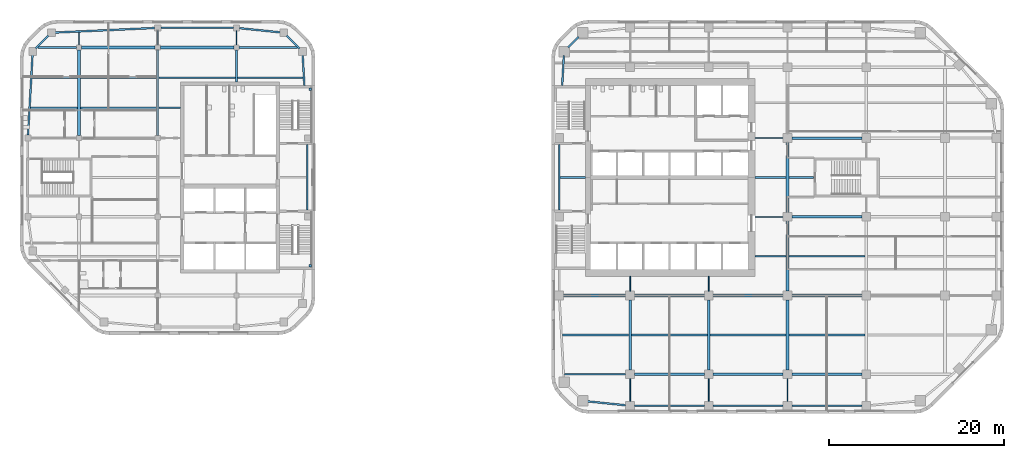
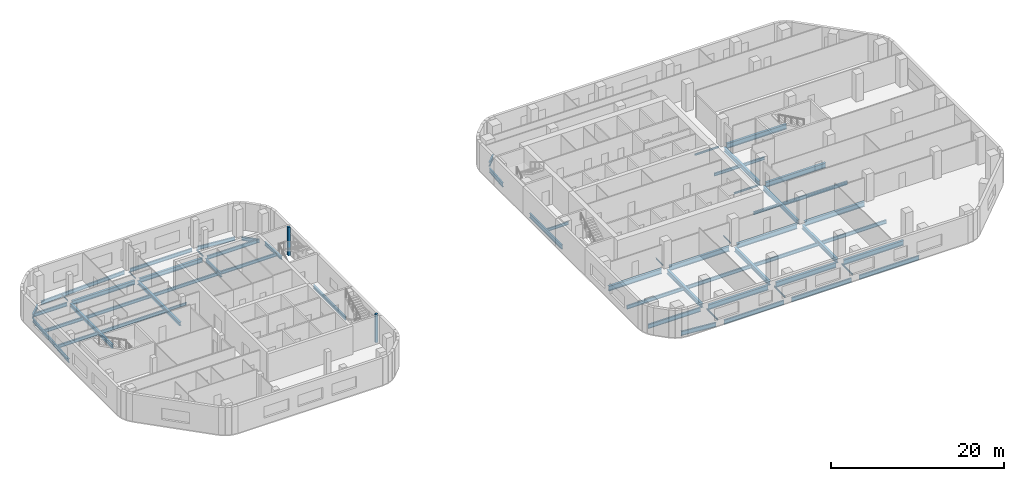
# One storey, part 2 of 14: 63 beams, 2 members.
"""IFC4 building model written with IfcOpenShell, lengths in metres."""

from ifc_helpers import new_model, si_unit, direction, frame, origin, origin_2d, place, context, subcontext, project, spatial, rectangle, i_section, extrude, material, material_profile, profile_set, type_object, element, save


model = new_model("IFC4")

# Units and contexts
model_context = context("Model", 3, precision=1e-05, world=origin(), true_north=direction((0.0, 1.0)))
body_context = subcontext(model_context, "Body", "Model", "MODEL_VIEW")
ifc_project = project(units=[si_unit("LENGTHUNIT", "METRE"), si_unit("AREAUNIT", "SQUARE_METRE"), si_unit("VOLUMEUNIT", "CUBIC_METRE"), si_unit("PLANEANGLEUNIT", "RADIAN"), si_unit("MASSUNIT", "GRAM", prefix="KILO")], contexts=[model_context])

# Site, building, storey
site_placement = place(None, origin())
site = spatial("IfcSite", under=ifc_project, at=site_placement, CompositionType="ELEMENT")
building_placement = place(site_placement, origin())
building = spatial("IfcBuilding", under=site, at=building_placement, Name="Cinnabar Reach Civic Tower", CompositionType="ELEMENT")
storey_placement = place(building_placement, frame((0.0, 0.0, 132.0)))
storey = spatial("IfcBuildingStorey", under=building, at=storey_placement, Name="L31", CompositionType="ELEMENT", Elevation=132.0)

# Beams
ifc_material_1 = material(Name="Steel Q355B", Category="steel")
ifc_material_profile_1 = material_profile(ifc_material_1, i_section(OverallWidth=0.3, OverallDepth=0.488, WebThickness=0.011, FlangeThickness=0.018, FilletRadius=0.016, at=origin_2d()), Name="HM488x300x11x18")
ifc_profile_set_1 = profile_set([ifc_material_profile_1], Name="Steel Q355B")
beam_type_1 = type_object("IfcBeamType", Name="HM488x300x11x18 beam R 120", PredefinedType="BEAM", material=ifc_profile_set_1)
for number, where, z_axis, x_axis, name in (
    (1, (-54.0, 36.302, -0.394), (0.0, 1.0, 0.0), (-1.0, 0.0, 0.0), "Girder T2 L31 4"),
    (2, (-45.0, 36.302, -0.394), (0.0, 1.0, 0.0), (-1.0, 0.0, 0.0), "Girder T2 L31 9"),
):
    element("IfcBeam", number, at=place(storey_placement, frame(where, z_axis=z_axis, x_axis=x_axis)), inside=storey, type_object=beam_type_1, Name=name, PredefinedType="BEAM", context=body_context, shape_type="SweptSolid", body=[
        extrude(i_section(OverallWidth=0.3, OverallDepth=0.488, WebThickness=0.011, FlangeThickness=0.018, FilletRadius=0.016, at=origin_2d()), origin(), (0.0, 0.0, 1.0), 9.746),
    ])
ifc_material_profile_2 = material_profile(ifc_material_1, i_section(OverallWidth=0.3, OverallDepth=0.588, WebThickness=0.012, FlangeThickness=0.02, FilletRadius=0.016, at=origin_2d()), Name="HM588x300x12x20")
ifc_profile_set_2 = profile_set([ifc_material_profile_2], Name="Steel Q355B")
beam_type_2 = type_object("IfcBeamType", Name="HM588x300x12x20 beam R 120", PredefinedType="BEAM", material=ifc_profile_set_2)
for number, where, z_axis, x_axis, name in (
    (3, (-53.698, 46.35, -0.444), (1.0, 0.0, 0.0), (0.0, 1.0, 0.0), "Girder T2 L31 11"),
    (4, (-44.698, 46.35, -0.444), (1.0, 0.0, 0.0), (0.0, 1.0, 0.0), "Girder T2 L31 12"),
):
    element("IfcBeam", number, at=place(storey_placement, frame(where, z_axis=z_axis, x_axis=x_axis)), inside=storey, type_object=beam_type_2, Name=name, PredefinedType="BEAM", context=body_context, shape_type="SweptSolid", body=[
        extrude(i_section(OverallWidth=0.3, OverallDepth=0.588, WebThickness=0.012, FlangeThickness=0.02, FilletRadius=0.016, at=origin_2d()), origin(), (0.0, 0.0, 1.0), 8.396),
    ])
ifc_material_profile_3 = material_profile(ifc_material_1, i_section(OverallWidth=0.302, OverallDepth=0.594, WebThickness=0.014, FlangeThickness=0.023, FilletRadius=0.016, at=origin_2d()), Name="HM594x302x14x23")
ifc_profile_set_3 = profile_set([ifc_material_profile_3], Name="Steel Q355B")
beam_type_3 = type_object("IfcBeamType", Name="HM594x302x14x23 beam R 180", PredefinedType="BEAM", material=ifc_profile_set_3)
for number, where, z_axis, x_axis, name in (
    (5, (9.0, 9.502, -0.447), (0.0, 1.0, 0.0), (-1.0, 0.0, 0.0), "Girder T1 L31 2"),
    (6, (18.0, 9.502, -0.447), (0.0, 1.0, 0.0), (-1.0, 0.0, 0.0), "Girder T1 L31 6"),
    (7, (27.0, 9.502, -0.447), (0.0, 1.0, 0.0), (-1.0, 0.0, 0.0), "Girder T1 L31 10"),
    (8, (27.0, 18.502, -0.447), (0.0, 1.0, 0.0), (-1.0, 0.0, 0.0), "Girder T1 L31 11"),
    (9, (27.0, 27.502, -0.447), (0.0, 1.0, 0.0), (-1.0, 0.0, 0.0), "Girder T1 L31 12"),
):
    element("IfcBeam", number, at=place(storey_placement, frame(where, z_axis=z_axis, x_axis=x_axis)), inside=storey, type_object=beam_type_3, Name=name, PredefinedType="BEAM", context=body_context, shape_type="SweptSolid", body=[
        extrude(i_section(OverallWidth=0.302, OverallDepth=0.594, WebThickness=0.014, FlangeThickness=0.023, FilletRadius=0.016, at=origin_2d()), origin(), (0.0, 0.0, 1.0), 7.996),
    ])
ifc_material_profile_4 = material_profile(ifc_material_1, i_section(OverallWidth=0.099, OverallDepth=0.198, WebThickness=0.0045, FlangeThickness=0.007, FilletRadius=0.013, at=origin_2d()), Name="HN200x100x5.5x8")
ifc_profile_set_4 = profile_set([ifc_material_profile_4], Name="Steel Q355B")
beam_type_4 = type_object("IfcBeamType", Name="HN200x100x5.5x8 beam R 120", PredefinedType="BEAM", material=ifc_profile_set_4)
beam_1_placement = place(storey_placement, frame((-54.0, 46.652, -0.249), z_axis=(0.0, 1.0, 0.0), x_axis=(-1.0, 0.0, 0.0)))
element("IfcBeam", 10, at=beam_1_placement, inside=storey, type_object=beam_type_4, Name="Girder T2 L31 5", PredefinedType="BEAM", context=body_context, shape_type="SweptSolid", body=[
    extrude(i_section(OverallWidth=0.099, OverallDepth=0.198, WebThickness=0.0045, FlangeThickness=0.007, FilletRadius=0.013, at=origin_2d()), origin(), (0.0, 0.0, 1.0), 1.4361),
])
for number, where, z_axis, x_axis, name in (
    (11, (-45.0, 46.652, -0.249), (0.0, 1.0, 0.0), (-1.0, 0.0, 0.0), "Girder T2 L31 10"),
    (12, (-36.0, 46.652, -0.249), (0.0, 1.0, 0.0), (-1.0, 0.0, 0.0), "Girder T2 L31 14"),
):
    element("IfcBeam", number, at=place(storey_placement, frame(where, z_axis=z_axis, x_axis=x_axis)), inside=storey, type_object=beam_type_4, Name=name, PredefinedType="BEAM", context=body_context, shape_type="SweptSolid", body=[
        extrude(i_section(OverallWidth=0.099, OverallDepth=0.198, WebThickness=0.0045, FlangeThickness=0.007, FilletRadius=0.013, at=origin_2d()), origin(), (0.0, 0.0, 1.0), 1.596),
    ])
ifc_material_profile_5 = material_profile(ifc_material_1, i_section(OverallWidth=0.099, OverallDepth=0.198, WebThickness=0.0045, FlangeThickness=0.007, FilletRadius=0.013, at=origin_2d()), Name="HN200x100x5.5x8")
ifc_profile_set_5 = profile_set([ifc_material_profile_5], Name="Steel Q355B")
beam_type_5 = type_object("IfcBeamType", Name="HN200x100x5.5x8 beam R 180", PredefinedType="BEAM", material=ifc_profile_set_5)
beam_2_placement = place(storey_placement, frame((9.0, 5.902, -0.249), z_axis=(0.0, 1.0, 0.0), x_axis=(-1.0, 0.0, 0.0)))
element("IfcBeam", 13, at=beam_2_placement, inside=storey, type_object=beam_type_5, Name="Girder T1 L31 1", PredefinedType="BEAM", context=body_context, shape_type="SweptSolid", body=[
    extrude(i_section(OverallWidth=0.099, OverallDepth=0.198, WebThickness=0.0045, FlangeThickness=0.007, FilletRadius=0.013, at=origin_2d()), origin(), (0.0, 0.0, 1.0), 2.596),
])
beam_3_placement = place(storey_placement, frame((9.0, 18.502, -0.249), z_axis=(0.0, 1.0, 0.0), x_axis=(-1.0, 0.0, 0.0)))
element("IfcBeam", 14, at=beam_3_placement, inside=storey, type_object=beam_type_5, Name="Girder T1 L31 3", PredefinedType="BEAM", context=body_context, shape_type="SweptSolid", body=[
    extrude(i_section(OverallWidth=0.099, OverallDepth=0.198, WebThickness=0.0045, FlangeThickness=0.007, FilletRadius=0.013, at=origin_2d()), origin(), (0.0, 0.0, 1.0), 1.696),
])
beam_4_placement = place(storey_placement, frame((18.0, 5.902, -0.249), z_axis=(0.0, 1.0, 0.0), x_axis=(-1.0, 0.0, 0.0)))
element("IfcBeam", 15, at=beam_4_placement, inside=storey, type_object=beam_type_5, Name="Girder T1 L31 5", PredefinedType="BEAM", context=body_context, shape_type="SweptSolid", body=[
    extrude(i_section(OverallWidth=0.099, OverallDepth=0.198, WebThickness=0.0045, FlangeThickness=0.007, FilletRadius=0.013, at=origin_2d()), origin(), (0.0, 0.0, 1.0), 2.596),
])
beam_5_placement = place(storey_placement, frame((18.0, 18.502, -0.249), z_axis=(0.0, 1.0, 0.0), x_axis=(-1.0, 0.0, 0.0)))
element("IfcBeam", 16, at=beam_5_placement, inside=storey, type_object=beam_type_5, Name="Girder T1 L31 7", PredefinedType="BEAM", context=body_context, shape_type="SweptSolid", body=[
    extrude(i_section(OverallWidth=0.099, OverallDepth=0.198, WebThickness=0.0045, FlangeThickness=0.007, FilletRadius=0.013, at=origin_2d()), origin(), (0.0, 0.0, 1.0), 1.696),
])
beam_6_placement = place(storey_placement, frame((27.0, 5.902, -0.249), z_axis=(0.0, 1.0, 0.0), x_axis=(-1.0, 0.0, 0.0)))
element("IfcBeam", 17, at=beam_6_placement, inside=storey, type_object=beam_type_5, Name="Girder T1 L31 9", PredefinedType="BEAM", context=body_context, shape_type="SweptSolid", body=[
    extrude(i_section(OverallWidth=0.099, OverallDepth=0.198, WebThickness=0.0045, FlangeThickness=0.007, FilletRadius=0.013, at=origin_2d()), origin(), (0.0, 0.0, 1.0), 2.596),
])
ifc_material_profile_6 = material_profile(ifc_material_1, i_section(OverallWidth=0.124, OverallDepth=0.248, WebThickness=0.005, FlangeThickness=0.008, FilletRadius=0.013, at=origin_2d()), Name="HN250x125x6x9")
ifc_profile_set_6 = profile_set([ifc_material_profile_6], Name="Steel Q355B")
beam_type_6 = type_object("IfcBeamType", Name="HN250x125x6x9 beam R 180", PredefinedType="BEAM", material=ifc_profile_set_6)
for number, where, z_axis, x_axis, name in (
    (18, (23.302, 27.0, -0.274), (1.0, 0.0, 0.0), (0.0, 1.0, 0.0), "Girder T1 L31 12"),
    (19, (23.302, 36.0, -0.274), (1.0, 0.0, 0.0), (0.0, 1.0, 0.0), "Girder T1 L31 16"),
):
    element("IfcBeam", number, at=place(storey_placement, frame(where, z_axis=z_axis, x_axis=x_axis)), inside=storey, type_object=beam_type_6, Name=name, PredefinedType="BEAM", context=body_context, shape_type="SweptSolid", body=[
        extrude(i_section(OverallWidth=0.124, OverallDepth=0.248, WebThickness=0.005, FlangeThickness=0.008, FilletRadius=0.013, at=origin_2d()), origin(), (0.0, 0.0, 1.0), 3.196),
    ])
ifc_material_profile_7 = material_profile(ifc_material_1, i_section(OverallWidth=0.175, OverallDepth=0.35, WebThickness=0.007, FlangeThickness=0.011, FilletRadius=0.013, at=origin_2d()), Name="HN350x175x7x11")
ifc_profile_set_7 = profile_set([ifc_material_profile_7], Name="Steel Q355B")
beam_type_7 = type_object("IfcBeamType", Name="HN350x175x7x11 beam R 120", PredefinedType="BEAM", material=ifc_profile_set_7)
beam_7_placement = place(storey_placement, frame((-44.848, 39.45, -0.325), z_axis=(1.0, 0.0, 0.0), x_axis=(0.0, 1.0, 0.0)))
element("IfcBeam", 20, at=beam_7_placement, inside=storey, type_object=beam_type_7, Name="Secondary beam T2 L31 9", PredefinedType="BEAM", context=body_context, shape_type="SweptSolid", body=[
    extrude(i_section(OverallWidth=0.175, OverallDepth=0.35, WebThickness=0.007, FlangeThickness=0.011, FilletRadius=0.013, at=origin_2d()), origin(), (0.0, 0.0, 1.0), 2.446),
])
ifc_material_profile_8 = material_profile(ifc_material_1, i_section(OverallWidth=0.199, OverallDepth=0.396, WebThickness=0.007, FlangeThickness=0.011, FilletRadius=0.013, at=origin_2d()), Name="HN396x199x7x11")
ifc_profile_set_8 = profile_set([ifc_material_profile_8], Name="Steel Q355B")
beam_type_8 = type_object("IfcBeamType", Name="HN396x199x7x11 beam R 180", PredefinedType="BEAM", material=ifc_profile_set_8)
beam_8_placement = place(storey_placement, frame((23.302, 22.5, -0.348), z_axis=(1.0, 0.0, 0.0), x_axis=(0.0, 1.0, 0.0)))
element("IfcBeam", 21, at=beam_8_placement, inside=storey, type_object=beam_type_8, Name="Secondary beam T1 L31 7", PredefinedType="BEAM", context=body_context, shape_type="SweptSolid", body=[
    extrude(i_section(OverallWidth=0.199, OverallDepth=0.396, WebThickness=0.007, FlangeThickness=0.011, FilletRadius=0.013, at=origin_2d()), origin(), (0.0, 0.0, 1.0), 3.545),
])
beam_9_placement = place(storey_placement, frame((1.002, 31.5, -0.348), z_axis=(1.0, 0.0, 0.0), x_axis=(0.0, 1.0, 0.0)))
element("IfcBeam", 22, at=beam_9_placement, inside=storey, type_object=beam_type_8, Name="Secondary beam T1 L31 11", PredefinedType="BEAM", context=body_context, shape_type="SweptSolid", body=[
    extrude(i_section(OverallWidth=0.199, OverallDepth=0.396, WebThickness=0.007, FlangeThickness=0.011, FilletRadius=0.013, at=origin_2d()), origin(), (0.0, 0.0, 1.0), 2.896),
])
beam_10_placement = place(storey_placement, frame((23.302, 31.5, -0.348), z_axis=(1.0, 0.0, 0.0), x_axis=(0.0, 1.0, 0.0)))
element("IfcBeam", 23, at=beam_10_placement, inside=storey, type_object=beam_type_8, Name="Secondary beam T1 L31 12", PredefinedType="BEAM", context=body_context, shape_type="SweptSolid", body=[
    extrude(i_section(OverallWidth=0.199, OverallDepth=0.396, WebThickness=0.007, FlangeThickness=0.011, FilletRadius=0.013, at=origin_2d()), origin(), (0.0, 0.0, 1.0), 3.545),
])
beam_11_placement = place(storey_placement, frame((27.153, 31.5, -0.348), z_axis=(1.0, 0.0, 0.0), x_axis=(0.0, 1.0, 0.0)))
element("IfcBeam", 24, at=beam_11_placement, inside=storey, type_object=beam_type_8, Name="Secondary beam T1 L31 13", PredefinedType="BEAM", context=body_context, shape_type="SweptSolid", body=[
    extrude(i_section(OverallWidth=0.199, OverallDepth=0.396, WebThickness=0.007, FlangeThickness=0.011, FilletRadius=0.013, at=origin_2d()), origin(), (0.0, 0.0, 1.0), 2.845),
])
ifc_material_profile_9 = material_profile(ifc_material_1, i_section(OverallWidth=0.2, OverallDepth=0.45, WebThickness=0.009, FlangeThickness=0.014, FilletRadius=0.016, at=origin_2d()), Name="HN450x200x9x14")
ifc_profile_set_9 = profile_set([ifc_material_profile_9], Name="Steel Q355B")
beam_type_9 = type_object("IfcBeamType", Name="HN450x200x9x14 beam R 120", PredefinedType="BEAM", material=ifc_profile_set_9)
beam_12_placement = place(storey_placement, frame((-59.5551, 39.45, -0.375), z_axis=(1.0, 0.0, 0.0), x_axis=(0.0, 1.0, 0.0)))
element("IfcBeam", 25, at=beam_12_placement, inside=storey, type_object=beam_type_9, Name="Secondary beam T2 L31 7", PredefinedType="BEAM", context=body_context, shape_type="SweptSolid", body=[
    extrude(i_section(OverallWidth=0.2, OverallDepth=0.45, WebThickness=0.009, FlangeThickness=0.014, FilletRadius=0.016, at=origin_2d()), origin(), (0.0, 0.0, 1.0), 5.4031),
])
beam_13_placement = place(storey_placement, frame((-53.848, 39.45, -0.375), z_axis=(1.0, 0.0, 0.0), x_axis=(0.0, 1.0, 0.0)))
element("IfcBeam", 26, at=beam_13_placement, inside=storey, type_object=beam_type_9, Name="Secondary beam T2 L31 8", PredefinedType="BEAM", context=body_context, shape_type="SweptSolid", body=[
    extrude(i_section(OverallWidth=0.2, OverallDepth=0.45, WebThickness=0.009, FlangeThickness=0.014, FilletRadius=0.016, at=origin_2d()), origin(), (0.0, 0.0, 1.0), 8.696),
])
beam_14_placement = place(storey_placement, frame((-59.3623, 42.9, -0.375), z_axis=(1.0, 0.0, 0.0), x_axis=(0.0, 1.0, 0.0)))
element("IfcBeam", 27, at=beam_14_placement, inside=storey, type_object=beam_type_9, Name="Secondary beam T2 L31 10", PredefinedType="BEAM", context=body_context, shape_type="SweptSolid", body=[
    extrude(i_section(OverallWidth=0.2, OverallDepth=0.45, WebThickness=0.009, FlangeThickness=0.014, FilletRadius=0.016, at=origin_2d()), origin(), (0.0, 0.0, 1.0), 5.2103),
])
beam_15_placement = place(storey_placement, frame((-53.848, 42.9, -0.375), z_axis=(1.0, 0.0, 0.0), x_axis=(0.0, 1.0, 0.0)))
element("IfcBeam", 28, at=beam_15_placement, inside=storey, type_object=beam_type_9, Name="Secondary beam T2 L31 11", PredefinedType="BEAM", context=body_context, shape_type="SweptSolid", body=[
    extrude(i_section(OverallWidth=0.2, OverallDepth=0.45, WebThickness=0.009, FlangeThickness=0.014, FilletRadius=0.016, at=origin_2d()), origin(), (0.0, 0.0, 1.0), 8.696),
])
beam_16_placement = place(storey_placement, frame((-44.848, 42.9, -0.375), z_axis=(1.0, 0.0, 0.0), x_axis=(0.0, 1.0, 0.0)))
element("IfcBeam", 29, at=beam_16_placement, inside=storey, type_object=beam_type_9, Name="Secondary beam T2 L31 12", PredefinedType="BEAM", context=body_context, shape_type="SweptSolid", body=[
    extrude(i_section(OverallWidth=0.2, OverallDepth=0.45, WebThickness=0.009, FlangeThickness=0.014, FilletRadius=0.016, at=origin_2d()), origin(), (0.0, 0.0, 1.0), 8.746),
])
beam_17_placement = place(storey_placement, frame((-35.898, 42.9, -0.375), z_axis=(1.0, 0.0, 0.0), x_axis=(0.0, 1.0, 0.0)))
element("IfcBeam", 30, at=beam_17_placement, inside=storey, type_object=beam_type_9, Name="Secondary beam T2 L31 13", PredefinedType="BEAM", context=body_context, shape_type="SweptSolid", body=[
    extrude(i_section(OverallWidth=0.2, OverallDepth=0.45, WebThickness=0.009, FlangeThickness=0.014, FilletRadius=0.016, at=origin_2d()), origin(), (0.0, 0.0, 1.0), 7.5103),
])
ifc_material_profile_10 = material_profile(ifc_material_1, i_section(OverallWidth=0.199, OverallDepth=0.496, WebThickness=0.009, FlangeThickness=0.014, FilletRadius=0.016, at=origin_2d()), Name="HN496x199x9x14")
ifc_profile_set_10 = profile_set([ifc_material_profile_10], Name="Steel Q355B")
beam_type_10 = type_object("IfcBeamType", Name="HN496x199x9x14 beam R 180", PredefinedType="BEAM", material=ifc_profile_set_10)
beam_18_placement = place(storey_placement, frame((1.2536, 13.5, -0.398), z_axis=(1.0, 0.0, 0.0), x_axis=(0.0, 1.0, 0.0)))
element("IfcBeam", 31, at=beam_18_placement, inside=storey, type_object=beam_type_10, Name="Secondary beam T1 L31 1", PredefinedType="BEAM", context=body_context, shape_type="SweptSolid", body=[
    extrude(i_section(OverallWidth=0.199, OverallDepth=0.496, WebThickness=0.009, FlangeThickness=0.014, FilletRadius=0.016, at=origin_2d()), origin(), (0.0, 0.0, 1.0), 7.5934),
])
for number, where, z_axis, x_axis, name in (
    (32, (9.153, 13.5, -0.398), (1.0, 0.0, 0.0), (0.0, 1.0, 0.0), "Secondary beam T1 L31 2"),
    (33, (18.153, 13.5, -0.398), (1.0, 0.0, 0.0), (0.0, 1.0, 0.0), "Secondary beam T1 L31 3"),
    (34, (27.153, 13.5, -0.398), (1.0, 0.0, 0.0), (0.0, 1.0, 0.0), "Secondary beam T1 L31 4"),
    (35, (27.153, 22.5, -0.398), (1.0, 0.0, 0.0), (0.0, 1.0, 0.0), "Secondary beam T1 L31 8"),
):
    element("IfcBeam", number, at=place(storey_placement, frame(where, z_axis=z_axis, x_axis=x_axis)), inside=storey, type_object=beam_type_10, Name=name, PredefinedType="BEAM", context=body_context, shape_type="SweptSolid", body=[
        extrude(i_section(OverallWidth=0.199, OverallDepth=0.496, WebThickness=0.009, FlangeThickness=0.014, FilletRadius=0.016, at=origin_2d()), origin(), (0.0, 0.0, 1.0), 8.694),
    ])
ifc_material_profile_11 = material_profile(ifc_material_1, i_section(OverallWidth=0.2, OverallDepth=0.5, WebThickness=0.01, FlangeThickness=0.016, FilletRadius=0.016, at=origin_2d()), Name="HN500x200x10x16")
ifc_profile_set_11 = profile_set([ifc_material_profile_11], Name="Steel Q355B")
beam_type_11 = type_object("IfcBeamType", Name="HN500x200x10x16 beam R 120", PredefinedType="BEAM", material=ifc_profile_set_11)
beam_19_placement = place(storey_placement, frame((-27.9, 27.752, -0.4), z_axis=(0.0, 1.0, 0.0), x_axis=(-1.0, 0.0, 0.0)))
element("IfcBeam", 36, at=beam_19_placement, inside=storey, type_object=beam_type_11, Name="Edge beam T2 L31 6", PredefinedType="BEAM", context=body_context, shape_type="SweptSolid", body=[
    extrude(i_section(OverallWidth=0.2, OverallDepth=0.5, WebThickness=0.01, FlangeThickness=0.016, FilletRadius=0.016, at=origin_2d()), origin(), (0.0, 0.0, 1.0), 7.496),
])
beam_20_placement = place(storey_placement, frame((-28.2354, 42.002, -0.4), z_axis=(-0.055775670196, 0.99844332569, 0.0), x_axis=(-0.99844332569, -0.055775670196, 0.0)))
element("IfcBeam", 37, at=beam_20_placement, inside=storey, type_object=beam_type_11, Name="Edge beam T2 L31 7", PredefinedType="BEAM", context=body_context, shape_type="SweptSolid", body=[
    extrude(i_section(OverallWidth=0.2, OverallDepth=0.5, WebThickness=0.01, FlangeThickness=0.016, FilletRadius=0.016, at=origin_2d()), origin(), (0.0, 0.0, 1.0), 3.5697),
])
beam_21_placement = place(storey_placement, frame((-28.7851, 46.2301, -0.4), z_axis=(-0.707106781187, 0.707106781187, 0.0), x_axis=(-0.707106781187, -0.707106781187, 0.0)))
element("IfcBeam", 38, at=beam_21_placement, inside=storey, type_object=beam_type_11, Name="Edge beam T2 L31 8", PredefinedType="BEAM", context=body_context, shape_type="SweptSolid", body=[
    extrude(i_section(OverallWidth=0.2, OverallDepth=0.5, WebThickness=0.01, FlangeThickness=0.016, FilletRadius=0.016, at=origin_2d()), origin(), (0.0, 0.0, 1.0), 2.0998),
])
beam_22_placement = place(storey_placement, frame((-30.9339, 48.0809, -0.4), z_axis=(-0.994792087401, 0.101924986363, 0.0), x_axis=(-0.101924986363, -0.994792087401, 0.0)))
element("IfcBeam", 39, at=beam_22_placement, inside=storey, type_object=beam_type_11, Name="Edge beam T2 L31 9", PredefinedType="BEAM", context=body_context, shape_type="SweptSolid", body=[
    extrude(i_section(OverallWidth=0.2, OverallDepth=0.5, WebThickness=0.01, FlangeThickness=0.016, FilletRadius=0.016, at=origin_2d()), origin(), (0.0, 0.0, 1.0), 4.7388),
])
beam_23_placement = place(storey_placement, frame((-36.352, 48.6, -0.4), z_axis=(-1.0, 0.0, 0.0), x_axis=(0.0, -1.0, 0.0)))
element("IfcBeam", 40, at=beam_23_placement, inside=storey, type_object=beam_type_11, Name="Edge beam T2 L31 10", PredefinedType="BEAM", context=body_context, shape_type="SweptSolid", body=[
    extrude(i_section(OverallWidth=0.2, OverallDepth=0.5, WebThickness=0.01, FlangeThickness=0.016, FilletRadius=0.016, at=origin_2d()), origin(), (0.0, 0.0, 1.0), 8.296),
])
beam_24_placement = place(storey_placement, frame((-45.352, 48.584, -0.4), z_axis=(-0.998964961738, -0.045486319033, 0.0), x_axis=(0.045486319033, -0.998964961738, 0.0)))
element("IfcBeam", 41, at=beam_24_placement, inside=storey, type_object=beam_type_11, Name="Edge beam T2 L31 11", PredefinedType="BEAM", context=body_context, shape_type="SweptSolid", body=[
    extrude(i_section(OverallWidth=0.2, OverallDepth=0.5, WebThickness=0.01, FlangeThickness=0.016, FilletRadius=0.016, at=origin_2d()), origin(), (0.0, 0.0, 1.0), 11.476),
])
beam_25_placement = place(storey_placement, frame((-57.4801, 47.7149, -0.4), z_axis=(-0.707106781187, -0.707106781187, 0.0), x_axis=(0.707106781187, -0.707106781187, 0.0)))
element("IfcBeam", 42, at=beam_25_placement, inside=storey, type_object=beam_type_11, Name="Edge beam T2 L31 12", PredefinedType="BEAM", context=body_context, shape_type="SweptSolid", body=[
    extrude(i_section(OverallWidth=0.2, OverallDepth=0.5, WebThickness=0.01, FlangeThickness=0.016, FilletRadius=0.016, at=origin_2d()), origin(), (0.0, 0.0, 1.0), 2.0998),
])
beam_26_placement = place(storey_placement, frame((-59.3155, 45.5661, -0.4), z_axis=(-0.055783895065, -0.998442866193, 0.0), x_axis=(0.998442866193, -0.055783895065, 0.0)))
element("IfcBeam", 43, at=beam_26_placement, inside=storey, type_object=beam_type_11, Name="Edge beam T2 L31 13", PredefinedType="BEAM", context=body_context, shape_type="SweptSolid", body=[
    extrude(i_section(OverallWidth=0.2, OverallDepth=0.5, WebThickness=0.01, FlangeThickness=0.016, FilletRadius=0.016, at=origin_2d()), origin(), (0.0, 0.0, 1.0), 9.2285),
])
beam_27_placement = place(storey_placement, frame((-58.7008, 46.35, -0.4), z_axis=(1.0, 0.0, 0.0), x_axis=(0.0, 1.0, 0.0)))
element("IfcBeam", 44, at=beam_27_placement, inside=storey, type_object=beam_type_11, Name="Girder T2 L31 10", PredefinedType="BEAM", context=body_context, shape_type="SweptSolid", body=[
    extrude(i_section(OverallWidth=0.2, OverallDepth=0.5, WebThickness=0.01, FlangeThickness=0.016, FilletRadius=0.016, at=origin_2d()), origin(), (0.0, 0.0, 1.0), 4.3988),
])
beam_28_placement = place(storey_placement, frame((-35.698, 46.35, -0.4), z_axis=(1.0, 0.0, 0.0), x_axis=(0.0, 1.0, 0.0)))
element("IfcBeam", 45, at=beam_28_placement, inside=storey, type_object=beam_type_11, Name="Girder T2 L31 13", PredefinedType="BEAM", context=body_context, shape_type="SweptSolid", body=[
    extrude(i_section(OverallWidth=0.2, OverallDepth=0.5, WebThickness=0.01, FlangeThickness=0.016, FilletRadius=0.016, at=origin_2d()), origin(), (0.0, 0.0, 1.0), 6.6488),
])
beam_29_placement = place(storey_placement, frame((-36.0, 42.402, -0.4), z_axis=(0.0, 1.0, 0.0), x_axis=(-1.0, 0.0, 0.0)))
element("IfcBeam", 46, at=beam_29_placement, inside=storey, type_object=beam_type_11, Name="Girder T2 L31 13", PredefinedType="BEAM", context=body_context, shape_type="SweptSolid", body=[
    extrude(i_section(OverallWidth=0.2, OverallDepth=0.5, WebThickness=0.01, FlangeThickness=0.016, FilletRadius=0.016, at=origin_2d()), origin(), (0.0, 0.0, 1.0), 3.646),
])
ifc_material_profile_12 = material_profile(ifc_material_1, i_section(OverallWidth=0.199, OverallDepth=0.596, WebThickness=0.01, FlangeThickness=0.015, FilletRadius=0.016, at=origin_2d()), Name="HN596x199x10x15")
ifc_profile_set_12 = profile_set([ifc_material_profile_12], Name="Steel Q355B")
beam_type_12 = type_object("IfcBeamType", Name="HN596x199x10x15 beam R 180", PredefinedType="BEAM", material=ifc_profile_set_12)
beam_30_placement = place(storey_placement, frame((1.5051, 9.0, -0.448), z_axis=(1.0, 0.0, 0.0), x_axis=(0.0, 1.0, 0.0)))
element("IfcBeam", 47, at=beam_30_placement, inside=storey, type_object=beam_type_12, Name="Girder T1 L31 1", PredefinedType="BEAM", context=body_context, shape_type="SweptSolid", body=[
    extrude(i_section(OverallWidth=0.199, OverallDepth=0.596, WebThickness=0.01, FlangeThickness=0.015, FilletRadius=0.016, at=origin_2d()), origin(), (0.0, 0.0, 1.0), 6.9929),
])
ifc_material_profile_13 = material_profile(ifc_material_1, i_section(OverallWidth=0.2, OverallDepth=0.6, WebThickness=0.011, FlangeThickness=0.017, FilletRadius=0.016, at=origin_2d()), Name="HN600x200x11x17")
ifc_profile_set_13 = profile_set([ifc_material_profile_13], Name="Steel Q355B")
beam_type_13 = type_object("IfcBeamType", Name="HN600x200x11x17 beam R 180", PredefinedType="BEAM", material=ifc_profile_set_13)
beam_31_placement = place(storey_placement, frame((4.0839, 5.9037, -0.45), z_axis=(0.994791228755, -0.101933366432, 0.0), x_axis=(0.101933366432, 0.994791228755, 0.0)))
element("IfcBeam", 48, at=beam_31_placement, inside=storey, type_object=beam_type_13, Name="Edge beam T1 L31 1", PredefinedType="BEAM", context=body_context, shape_type="SweptSolid", body=[
    extrude(i_section(OverallWidth=0.2, OverallDepth=0.6, WebThickness=0.011, FlangeThickness=0.017, FilletRadius=0.016, at=origin_2d()), origin(), (0.0, 0.0, 1.0), 4.4372),
])
for number, where, z_axis, x_axis, name in (
    (49, (9.502, 5.4, -0.45), (1.0, 0.0, 0.0), (0.0, 1.0, 0.0), "Edge beam T1 L31 2"),
    (50, (18.502, 5.4, -0.45), (1.0, 0.0, 0.0), (0.0, 1.0, 0.0), "Edge beam T1 L31 3"),
    (51, (27.502, 5.4, -0.45), (1.0, 0.0, 0.0), (0.0, 1.0, 0.0), "Edge beam T1 L31 4"),
):
    element("IfcBeam", number, at=place(storey_placement, frame(where, z_axis=z_axis, x_axis=x_axis)), inside=storey, type_object=beam_type_13, Name=name, PredefinedType="BEAM", context=body_context, shape_type="SweptSolid", body=[
        extrude(i_section(OverallWidth=0.2, OverallDepth=0.6, WebThickness=0.011, FlangeThickness=0.017, FilletRadius=0.016, at=origin_2d()), origin(), (0.0, 0.0, 1.0), 7.996),
    ])
beam_32_placement = place(storey_placement, frame((3.1199, 47.5649, -0.45), z_axis=(-0.707106781187, -0.707106781187, 0.0), x_axis=(0.707106781187, -0.707106781187, 0.0)))
element("IfcBeam", 52, at=beam_32_placement, inside=storey, type_object=beam_type_13, Name="Edge beam T1 L31 19", PredefinedType="BEAM", context=body_context, shape_type="SweptSolid", body=[
    extrude(i_section(OverallWidth=0.2, OverallDepth=0.6, WebThickness=0.011, FlangeThickness=0.017, FilletRadius=0.016, at=origin_2d()), origin(), (0.0, 0.0, 1.0), 1.6756),
])
beam_33_placement = place(storey_placement, frame((1.4262, 45.4161, -0.45), z_axis=(-0.055798816608, -0.998442032401, 0.0), x_axis=(0.998442032401, -0.055798816608, 0.0)))
element("IfcBeam", 53, at=beam_33_placement, inside=storey, type_object=beam_type_13, Name="Edge beam T1 L31 20", PredefinedType="BEAM", context=body_context, shape_type="SweptSolid", body=[
    extrude(i_section(OverallWidth=0.2, OverallDepth=0.6, WebThickness=0.011, FlangeThickness=0.017, FilletRadius=0.016, at=origin_2d()), origin(), (0.0, 0.0, 1.0), 3.4194),
])
beam_34_placement = place(storey_placement, frame((0.9, 35.248, -0.45), z_axis=(0.0, -1.0, 0.0), x_axis=(1.0, 0.0, 0.0)))
element("IfcBeam", 54, at=beam_34_placement, inside=storey, type_object=beam_type_13, Name="Edge beam T1 L31 21", PredefinedType="BEAM", context=body_context, shape_type="SweptSolid", body=[
    extrude(i_section(OverallWidth=0.2, OverallDepth=0.6, WebThickness=0.011, FlangeThickness=0.017, FilletRadius=0.016, at=origin_2d()), origin(), (0.0, 0.0, 1.0), 7.496),
])
ifc_material_profile_14 = material_profile(ifc_material_1, i_section(OverallWidth=0.3, OverallDepth=0.692, WebThickness=0.013, FlangeThickness=0.02, FilletRadius=0.016, at=origin_2d()), Name="HN692x300x13x20")
ifc_profile_set_14 = profile_set([ifc_material_profile_14], Name="Steel Q355B")
beam_type_14 = type_object("IfcBeamType", Name="HN692x300x13x20 beam R 180", PredefinedType="BEAM", material=ifc_profile_set_14)
for number, where, z_axis, x_axis, name in (
    (55, (9.502, 9.0, -0.496), (1.0, 0.0, 0.0), (0.0, 1.0, 0.0), "Girder T1 L31 2"),
    (56, (18.502, 9.0, -0.496), (1.0, 0.0, 0.0), (0.0, 1.0, 0.0), "Girder T1 L31 3"),
    (57, (27.502, 9.0, -0.496), (1.0, 0.0, 0.0), (0.0, 1.0, 0.0), "Girder T1 L31 4"),
):
    element("IfcBeam", number, at=place(storey_placement, frame(where, z_axis=z_axis, x_axis=x_axis)), inside=storey, type_object=beam_type_14, Name=name, PredefinedType="BEAM", context=body_context, shape_type="SweptSolid", body=[
        extrude(i_section(OverallWidth=0.3, OverallDepth=0.692, WebThickness=0.013, FlangeThickness=0.02, FilletRadius=0.016, at=origin_2d()), origin(), (0.0, 0.0, 1.0), 7.996),
    ])
beam_35_placement = place(storey_placement, frame((1.402, 18.0, -0.496), z_axis=(1.0, 0.0, 0.0), x_axis=(0.0, 1.0, 0.0)))
element("IfcBeam", 58, at=beam_35_placement, inside=storey, type_object=beam_type_14, Name="Girder T1 L31 6", PredefinedType="BEAM", context=body_context, shape_type="SweptSolid", body=[
    extrude(i_section(OverallWidth=0.3, OverallDepth=0.692, WebThickness=0.013, FlangeThickness=0.02, FilletRadius=0.016, at=origin_2d()), origin(), (0.0, 0.0, 1.0), 7.096),
])
for number, where, z_axis, x_axis, name in (
    (59, (9.502, 18.0, -0.496), (1.0, 0.0, 0.0), (0.0, 1.0, 0.0), "Girder T1 L31 7"),
    (60, (18.502, 18.0, -0.496), (1.0, 0.0, 0.0), (0.0, 1.0, 0.0), "Girder T1 L31 8"),
    (61, (27.502, 18.0, -0.496), (1.0, 0.0, 0.0), (0.0, 1.0, 0.0), "Girder T1 L31 9"),
    (62, (27.502, 27.0, -0.496), (1.0, 0.0, 0.0), (0.0, 1.0, 0.0), "Girder T1 L31 13"),
    (63, (27.502, 36.0, -0.496), (1.0, 0.0, 0.0), (0.0, 1.0, 0.0), "Girder T1 L31 17"),
):
    element("IfcBeam", number, at=place(storey_placement, frame(where, z_axis=z_axis, x_axis=x_axis)), inside=storey, type_object=beam_type_14, Name=name, PredefinedType="BEAM", context=body_context, shape_type="SweptSolid", body=[
        extrude(i_section(OverallWidth=0.3, OverallDepth=0.692, WebThickness=0.013, FlangeThickness=0.02, FilletRadius=0.016, at=origin_2d()), origin(), (0.0, 0.0, 1.0), 7.996),
    ])

# Members
ifc_material_2 = material(Name="Concrete C40", Category="concrete")
ifc_material_profile_15 = material_profile(ifc_material_2, rectangle(XDim=0.3, YDim=0.3, at=origin_2d()), Name="C300")
ifc_profile_set_15 = profile_set([ifc_material_profile_15], Name="Concrete C40")
member_type = type_object("IfcMemberType", Name="T2 stair post 300", PredefinedType="STRUT", material=ifc_profile_set_15)
for number, where, z_axis, x_axis, name in (
    (64, (-27.55, 21.4, 0.0), (0.0, 0.0, 1.0), (1.0, 0.0, 0.0), "Stair post 1"),
    (65, (-27.55, 41.6, 0.0), (0.0, 0.0, 1.0), (1.0, 0.0, 0.0), "Stair post 2"),
):
    element("IfcMember", number, at=place(storey_placement, frame(where, z_axis=z_axis, x_axis=x_axis)), inside=storey, type_object=member_type, Name=name, PredefinedType="STRUT", context=body_context, shape_type="SweptSolid", body=[
        extrude(rectangle(XDim=0.3, YDim=0.3, at=origin_2d()), origin(), (0.0, 0.0, 1.0), 4.0),
    ])

save(model, "model.ifc")
